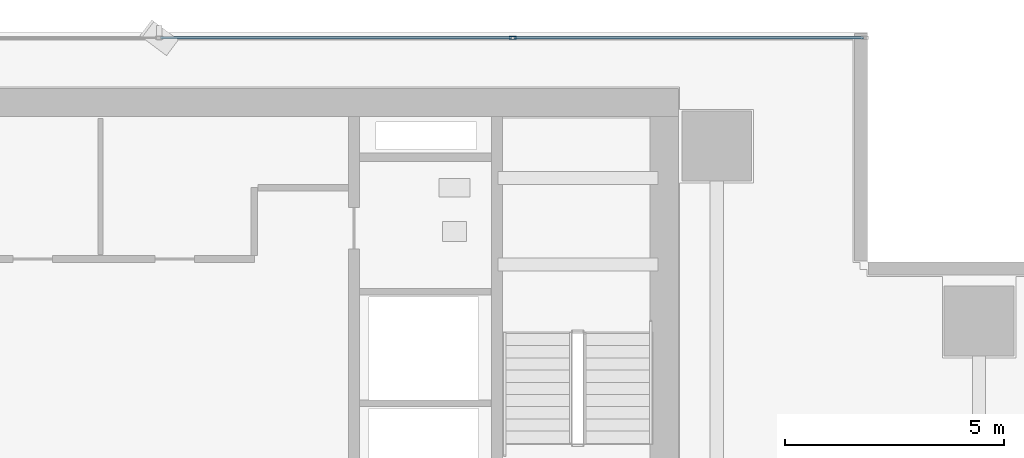
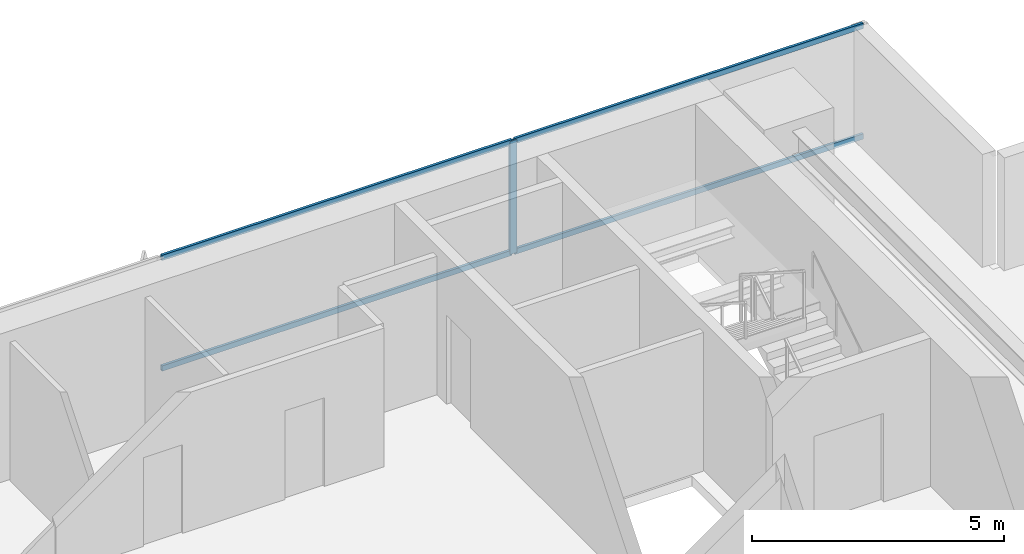
# One storey, part 25 of 37: 5 members, 1 element without a shape of its own.
"""IFC4 building model written with IfcOpenShell, lengths in metres."""

from ifc_helpers import new_model, si_unit, direction, frame, origin, origin_2d, place, context, subcontext, project, spatial, hollow_rectangle, extrude, source, transform, mapped, material, layer, layer_set, material_profile, profile_set, type_object, element, aggregate, save


model = new_model("IFC4")

# Units and contexts
model_context = context("Model", 3, precision=1e-05, world=origin(), true_north=direction((0.0, 1.0)))
body_context = subcontext(model_context, "Body", "Model", "MODEL_VIEW")
ifc_project = project(units=[si_unit("LENGTHUNIT", "METRE"), si_unit("AREAUNIT", "SQUARE_METRE"), si_unit("VOLUMEUNIT", "CUBIC_METRE"), si_unit("PLANEANGLEUNIT", "RADIAN"), si_unit("MASSUNIT", "GRAM", prefix="KILO")], contexts=[model_context])

# Site, building, storey
site_placement = place(None, origin())
site = spatial("IfcSite", under=ifc_project, at=site_placement, CompositionType="ELEMENT")
building_placement = place(site_placement, origin())
building = spatial("IfcBuilding", under=site, at=building_placement, Name="Sumidabori Civic Tower", CompositionType="ELEMENT")
storey_placement = place(building_placement, frame((0.0, 0.0, 95.60009765625)))
storey = spatial("IfcBuildingStorey", under=building, at=storey_placement, Name="L24", CompositionType="ELEMENT", Elevation=95.60009765625)

# Curtain wall, members
ifc_material = material(Name="Anodised Bronze Aluminium AW-6063-T6", Category="aluminium")
ifc_layer = layer(ifc_material, 0.179931640625, Name="Anodised Bronze Aluminium AW-6063-T6")
ifc_layer_set = layer_set([ifc_layer], Name="Anodised Bronze Aluminium AW-6063-T6")
curtain_wall_type = type_object("IfcCurtainWallType", Name="CW-SYS-3", PredefinedType="NOTDEFINED", material=ifc_layer_set)
curtain_wall_placement = place(storey_placement, origin())
curtain_wall = element("IfcCurtainWall", 1, at=curtain_wall_placement, inside=storey, type_object=curtain_wall_type, Name="Curtain Wall CW:L24:R07", PredefinedType="NOTDEFINED")
ifc_material_profile_1 = material_profile(ifc_material, hollow_rectangle(XDim=0.06494140625, YDim=0.159912109375, WallThickness=0.0048828125, at=origin_2d()), Name="ALU MULLION 160x65")
ifc_profile_set_1 = profile_set([ifc_material_profile_1], Name="Anodised Bronze Aluminium AW-6063-T6")
member_type_1 = type_object("IfcMemberType", Name="CW-MUL-160", PredefinedType="MULLION", material=ifc_profile_set_1)
shared_shape_1 = source(origin(), body_context, "Body", "SweptSolid", [
    extrude(hollow_rectangle(XDim=0.06494140625, YDim=0.159912109375, WallThickness=0.0048828125, at=origin_2d()), origin(), (0.0, 0.0, 1.0), 2.739990234375),
])
member_1_placement = place(storey_placement, frame((12.132080078125, 25.280029296875, 0.0), z_axis=(0.0, 0.0, 1.0), x_axis=(0.0, -1.0, 0.0)))
member_1 = element("IfcMember", 2, at=member_1_placement, type_object=member_type_1, Name="CW-3 mullion 2", PredefinedType="MULLION", context=body_context, shape_type="MappedRepresentation", body=[
    mapped(shared_shape_1, transform((0.0, 0.0, 0.0), x_axis=(1.0, 0.0, 0.0), y_axis=(0.0, 1.0, 0.0), z_axis=(0.0, 0.0, 1.0), scale=1.0)),
])
ifc_material_profile_2 = material_profile(ifc_material, hollow_rectangle(XDim=0.06005859375, YDim=0.1298828125, WallThickness=0.0048828125, at=origin_2d()), Name="ALU TRANSOM 130x60")
ifc_profile_set_2 = profile_set([ifc_material_profile_2], Name="Anodised Bronze Aluminium AW-6063-T6")
member_type_2 = type_object("IfcMemberType", Name="CW-TRN-130", PredefinedType="USERDEFINED", material=ifc_profile_set_2)
shared_shape_2 = source(origin(), body_context, "Body", "SweptSolid", [
    extrude(hollow_rectangle(XDim=0.06005859375, YDim=0.1298828125, WallThickness=0.0048828125, at=origin_2d()), origin(), (0.0, 0.0, 1.0), 7.990478515625),
])
member_2_placement = place(storey_placement, frame((20.155029296875, 25.280029296875, 0.02978515625), z_axis=(-1.0, 0.0, 0.0), x_axis=(0.0, -1.0, 0.0)))
member_2 = element("IfcMember", 3, at=member_2_placement, type_object=member_type_2, Name="CW-3 transom 1.1", ObjectType="TRANSOM", PredefinedType="USERDEFINED", context=body_context, shape_type="MappedRepresentation", body=[
    mapped(shared_shape_2, transform((0.0, 0.0, 0.0), x_axis=(1.0, 0.0, 0.0), y_axis=(0.0, 1.0, 0.0), z_axis=(0.0, 0.0, 1.0), scale=1.0)),
])
member_3_placement = place(storey_placement, frame((20.155029296875, 25.280029296875, 2.7099609375), z_axis=(-1.0, 0.0, 0.0), x_axis=(0.0, -1.0, 0.0)))
member_3 = element("IfcMember", 4, at=member_3_placement, type_object=member_type_2, Name="CW-3 transom 1.2", ObjectType="TRANSOM", PredefinedType="USERDEFINED", context=body_context, shape_type="MappedRepresentation", body=[
    mapped(shared_shape_2, transform((0.0, 0.0, 0.0), x_axis=(1.0, 0.0, 0.0), y_axis=(0.0, 1.0, 0.0), z_axis=(0.0, 0.0, 1.0), scale=1.0)),
])
shared_shape_3 = source(origin(), body_context, "Body", "SweptSolid", [
    extrude(hollow_rectangle(XDim=0.06005859375, YDim=0.1298828125, WallThickness=0.0048828125, at=origin_2d()), origin(), (0.0, 0.0, 1.0), 8.023193359375),
])
member_4_placement = place(storey_placement, frame((12.099609375, 25.280029296875, 0.02978515625), z_axis=(-1.0, 0.0, 0.0), x_axis=(0.0, -1.0, 0.0)))
member_4 = element("IfcMember", 5, at=member_4_placement, type_object=member_type_2, Name="CW-3 transom 2.1", ObjectType="TRANSOM", PredefinedType="USERDEFINED", context=body_context, shape_type="MappedRepresentation", body=[
    mapped(shared_shape_3, transform((0.0, 0.0, 0.0), x_axis=(1.0, 0.0, 0.0), y_axis=(0.0, 1.0, 0.0), z_axis=(0.0, 0.0, 1.0), scale=1.0)),
])
member_5_placement = place(storey_placement, frame((12.099609375, 25.280029296875, 2.7099609375), z_axis=(-1.0, 0.0, 0.0), x_axis=(0.0, -1.0, 0.0)))
member_5 = element("IfcMember", 6, at=member_5_placement, type_object=member_type_2, Name="CW-3 transom 2.2", ObjectType="TRANSOM", PredefinedType="USERDEFINED", context=body_context, shape_type="MappedRepresentation", body=[
    mapped(shared_shape_3, transform((0.0, 0.0, 0.0), x_axis=(1.0, 0.0, 0.0), y_axis=(0.0, 1.0, 0.0), z_axis=(0.0, 0.0, 1.0), scale=1.0)),
])
aggregate(curtain_wall, [member_1, member_2, member_3, member_4, member_5])

save(model, "model.ifc")
